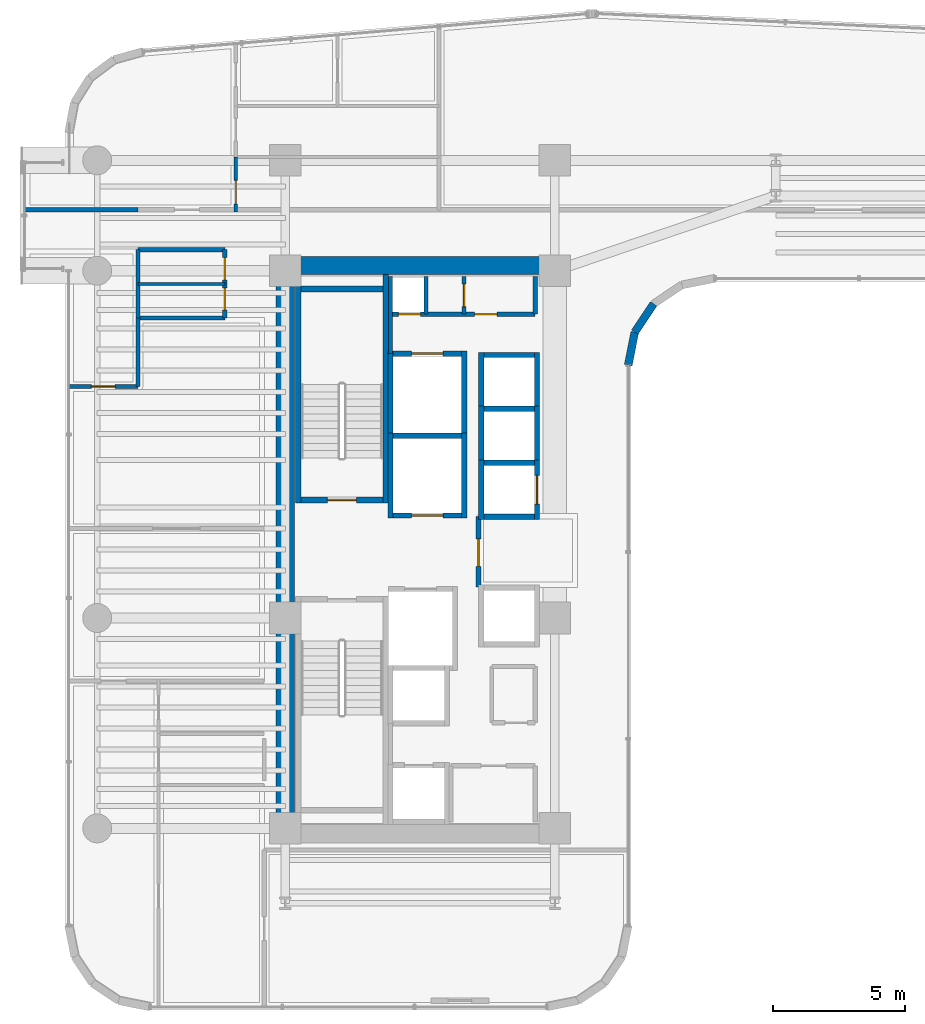
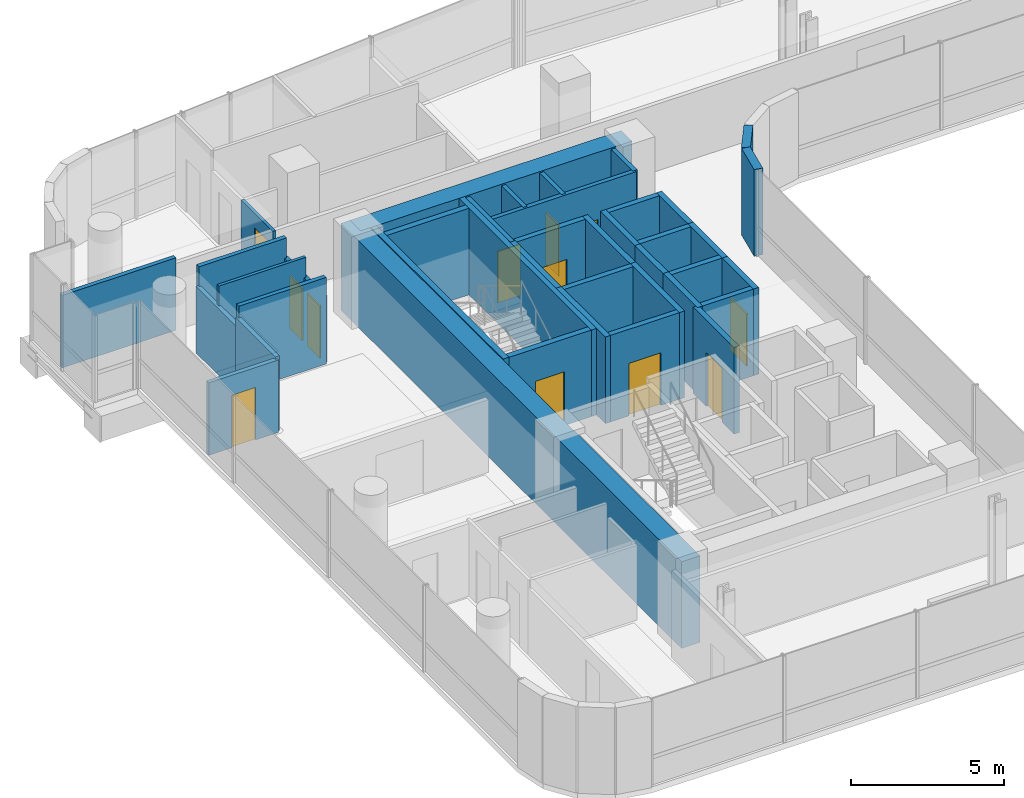
# One storey, part 28 of 35: 40 walls, 12 doors, 12 openings.
"""IFC4 building model written with IfcOpenShell, lengths in metres."""

from ifc_helpers import new_model, si_unit, direction, frame, frame_2d, origin, place, context, subcontext, project, spatial, rectangle, extrude, material, layer, layer_set, type_object, element, fill, save


model = new_model("IFC4")

# Units and contexts
model_context = context("Model", 3, precision=1e-05, world=origin(), true_north=direction((0.0, 1.0)))
body_context = subcontext(model_context, "Body", "Model", "MODEL_VIEW")
ifc_project = project(units=[si_unit("LENGTHUNIT", "METRE"), si_unit("AREAUNIT", "SQUARE_METRE"), si_unit("VOLUMEUNIT", "CUBIC_METRE"), si_unit("PLANEANGLEUNIT", "RADIAN"), si_unit("MASSUNIT", "GRAM", prefix="KILO")], contexts=[model_context])

# Site, building, storey
site_placement = place(None, origin())
site = spatial("IfcSite", under=ifc_project, at=site_placement, CompositionType="ELEMENT")
building_placement = place(site_placement, origin())
building = spatial("IfcBuilding", under=site, at=building_placement, Name="Valdorenza Pilgrim Sanctuary Tower", CompositionType="ELEMENT")
storey_placement = place(building_placement, frame((0.0, 0.0, 150.10009765625)))
storey = spatial("IfcBuildingStorey", under=building, at=storey_placement, Name="L38", CompositionType="ELEMENT", Elevation=150.10009765625)

# Wall
ifc_material_1 = material(Name="Acoustic twin-stud gypsum partition", Category="gypsum")
ifc_layer_1 = layer(ifc_material_1, 0.159912109375, Name="Acoustic twin-stud gypsum partition")
ifc_layer_set_1 = layer_set([ifc_layer_1], Name="Acoustic twin-stud gypsum partition")
wall_type_1 = type_object("IfcWallType", Name="WAL-COR-160", PredefinedType="PARTITIONING", material=ifc_layer_set_1)
wall_1_placement = place(storey_placement, frame((-18.64990234375, 7.449951171875, 0.0), z_axis=(0.0, 0.0, 1.0), x_axis=(0.0, 1.0, 0.0)))
element("IfcWall", 1, at=wall_1_placement, inside=storey, type_object=wall_type_1, Name="L38 Core A North Service West Wall", PredefinedType="PARTITIONING", context=body_context, shape_type="SweptSolid", body=[
    extrude(rectangle(XDim=2.929931640625, YDim=0.159912109375, at=frame_2d((1.46484375, 0.0))), origin(), (0.0, 0.0, 1.0), 3.4599609375),
])

# Wall, openings, doors
wall_2_placement = place(storey_placement, frame((-18.64990234375, 8.949951171875, 0.0), z_axis=(0.0, 0.0, 1.0), x_axis=(1.0, 0.0, 0.0)))
wall_2 = element("IfcWall", 2, at=wall_2_placement, inside=storey, type_object=wall_type_1, Name="L38 Core A North Service South Wall", PredefinedType="PARTITIONING", context=body_context, shape_type="SweptSolid", body=[
    extrude(rectangle(XDim=5.5, YDim=0.159912109375, at=frame_2d((2.75, 0.0))), origin(), (0.0, 0.0, 1.0), 3.4599609375),
])
opening_1_placement = place(wall_2_placement, frame((0.300048828125, 0.0, 0.0)))
opening_1 = element("IfcOpeningElement", 3, at=opening_1_placement, cuts=wall_2, Name="Opening DR-RS1", PredefinedType="OPENING", context=body_context, shape_type="SweptSolid", body=[
    extrude(rectangle(XDim=0.85009765625, YDim=2.050048828125, at=frame_2d((0.425048828125, 1.02490234375))), frame((0.0, 0.0947265625, 0.0), z_axis=(0.0, -1.0, 0.0), x_axis=(1.0, 0.0, 0.0)), (0.0, 0.0, 1.0), 0.189697265625),
])
opening_2_placement = place(wall_2_placement, frame((3.199951171875, 0.0, 0.0)))
opening_2 = element("IfcOpeningElement", 4, at=opening_2_placement, cuts=wall_2, Name="Opening DR-RS1", PredefinedType="OPENING", context=body_context, shape_type="SweptSolid", body=[
    extrude(rectangle(XDim=0.85009765625, YDim=2.050048828125, at=frame_2d((0.425048828125, 1.02490234375))), frame((0.0, 0.0947265625, 0.0), z_axis=(0.0, -1.0, 0.0), x_axis=(1.0, 0.0, 0.0)), (0.0, 0.0, 1.0), 0.189697265625),
])
ifc_material_2 = material(Name="Painted galvanized steel", Category="steel")
door_type_1 = type_object("IfcDoorType", Name="DR-RSR-850", OperationType="NOTDEFINED", PredefinedType="DOOR", material=ifc_material_2)
door_1_placement = place(opening_1_placement, origin())
door_1 = element("IfcDoor", 5, at=door_1_placement, inside=storey, type_object=door_type_1, Name="L38 Core Electrical and Telecom Riser Door", OperationType="SINGLE_SWING_LEFT", OverallHeight=2.050048828125, OverallWidth=0.85009765625, PredefinedType="DOOR", context=body_context, shape_type="SweptSolid", body=[
    extrude(rectangle(XDim=0.85009765625, YDim=2.050048828125, at=frame_2d((0.425048828125, 1.02490234375))), frame((0.0, 0.02490234375, 0.0), z_axis=(0.0, -1.0, 0.0), x_axis=(1.0, 0.0, 0.0)), (0.0, 0.0, 1.0), 0.050048828125),
])
fill(opening_1, door_1)
door_2_placement = place(opening_2_placement, origin())
door_2 = element("IfcDoor", 6, at=door_2_placement, inside=storey, type_object=door_type_1, Name="L38 Housekeeping and Clean Linen Room Door", OperationType="SINGLE_SWING_RIGHT", OverallHeight=2.050048828125, OverallWidth=0.85009765625, PredefinedType="DOOR", context=body_context, shape_type="SweptSolid", body=[
    extrude(rectangle(XDim=0.85009765625, YDim=2.050048828125, at=frame_2d((0.425048828125, 1.02490234375))), frame((0.0, 0.02490234375, 0.0), z_axis=(0.0, -1.0, 0.0), x_axis=(1.0, 0.0, 0.0)), (0.0, 0.0, 1.0), 0.050048828125),
])
fill(opening_2, door_2)

# Walls
for number, where, z_axis, x_axis, name in (
    (7, (-13.14990234375, 8.949951171875, 0.0), (0.0, 0.0, 1.0), (0.0, 1.0, 0.0), "L38 Core A North Service East Wall"),
    (8, (-17.300048828125, 8.949951171875, 0.0), (0.0, 0.0, 1.0), (0.0, 1.0, 0.0), "L38 Core Electrical Riser Wall"),
):
    element("IfcWall", number, at=place(storey_placement, frame(where, z_axis=z_axis, x_axis=x_axis)), inside=storey, type_object=wall_type_1, Name=name, PredefinedType="PARTITIONING", context=body_context, shape_type="SweptSolid", body=[
        extrude(rectangle(XDim=1.429931640625, YDim=0.159912109375, at=frame_2d((0.71484375, 0.0))), origin(), (0.0, 0.0, 1.0), 3.4599609375),
    ])

# Wall, opening, door
wall_3_placement = place(storey_placement, frame((-15.85009765625, 8.949951171875, 0.0), z_axis=(0.0, 0.0, 1.0), x_axis=(0.0, 1.0, 0.0)))
wall_3 = element("IfcWall", 9, at=wall_3_placement, inside=storey, type_object=wall_type_1, Name="L38 Core A Split C", PredefinedType="PARTITIONING", context=body_context, shape_type="SweptSolid", body=[
    extrude(rectangle(XDim=1.429931640625, YDim=0.159912109375, at=frame_2d((0.71484375, 0.0))), origin(), (0.0, 0.0, 1.0), 3.4599609375),
])
opening_3_placement = place(wall_3_placement, frame((0.2900390625, 0.0, 0.0)))
opening_3 = element("IfcOpeningElement", 10, at=opening_3_placement, cuts=wall_3, Name="Opening DR-RS1", PredefinedType="OPENING", context=body_context, shape_type="SweptSolid", body=[
    extrude(rectangle(XDim=0.85009765625, YDim=2.050048828125, at=frame_2d((0.425048828125, 1.02490234375))), frame((0.0, 0.0947265625, 0.0), z_axis=(0.0, -1.0, 0.0), x_axis=(1.0, 0.0, 0.0)), (0.0, 0.0, 1.0), 0.189697265625),
])
door_3_placement = place(opening_3_placement, origin())
door_3 = element("IfcDoor", 11, at=door_3_placement, inside=storey, type_object=door_type_1, Name="L38 Clean Linen Supply Store Door", OperationType="SINGLE_SWING_LEFT", OverallHeight=2.050048828125, OverallWidth=0.85009765625, PredefinedType="DOOR", context=body_context, shape_type="SweptSolid", body=[
    extrude(rectangle(XDim=0.85009765625, YDim=2.050048828125, at=frame_2d((0.425048828125, 1.02490234375))), frame((0.0, 0.02490234375, 0.0), z_axis=(0.0, -1.0, 0.0), x_axis=(1.0, 0.0, 0.0)), (0.0, 0.0, 1.0), 0.050048828125),
])
fill(opening_3, door_3)

# Wall
wall_4_placement = place(storey_placement, frame((-28.25, 8.800048828125, 0.0), z_axis=(0.0, 0.0, 1.0), x_axis=(0.0, 1.0, 0.0)))
element("IfcWall", 12, at=wall_4_placement, inside=storey, type_object=wall_type_1, Name="L38 Washroom West Wall", PredefinedType="PARTITIONING", context=body_context, shape_type="SweptSolid", body=[
    extrude(rectangle(XDim=2.599853515625, YDim=0.159912109375, at=frame_2d((1.2998046875, 0.0))), origin(), (0.0, 0.0, 1.0), 2.666015625),
])

# Wall, openings, doors
wall_5_placement = place(storey_placement, frame((-24.949951171875, 8.800048828125, 0.0), z_axis=(0.0, 0.0, 1.0), x_axis=(0.0, 1.0, 0.0)))
wall_5 = element("IfcWall", 13, at=wall_5_placement, inside=storey, type_object=wall_type_1, Name="L38 Washroom East Wall", PredefinedType="PARTITIONING", context=body_context, shape_type="SweptSolid", body=[
    extrude(rectangle(XDim=2.599853515625, YDim=0.159912109375, at=frame_2d((1.2998046875, 0.0))), origin(), (0.0, 0.0, 1.0), 2.666015625),
])
opening_4_placement = place(wall_5_placement, frame((0.300048828125, 0.0, 0.0)))
opening_4 = element("IfcOpeningElement", 14, at=opening_4_placement, cuts=wall_5, Name="Opening DR-WC1", PredefinedType="OPENING", context=body_context, shape_type="SweptSolid", body=[
    extrude(rectangle(XDim=0.85009765625, YDim=2.10009765625, at=frame_2d((0.425048828125, 1.050048828125))), frame((0.0, 0.0947265625, 0.0), z_axis=(0.0, -1.0, 0.0), x_axis=(1.0, 0.0, 0.0)), (0.0, 0.0, 1.0), 0.189697265625),
])
opening_5_placement = place(wall_5_placement, frame((1.449951171875, 0.0, 0.0)))
opening_5 = element("IfcOpeningElement", 15, at=opening_5_placement, cuts=wall_5, Name="Opening DR-WC1", PredefinedType="OPENING", context=body_context, shape_type="SweptSolid", body=[
    extrude(rectangle(XDim=0.85009765625, YDim=2.10009765625, at=frame_2d((0.425048828125, 1.050048828125))), frame((0.0, 0.0947265625, 0.0), z_axis=(0.0, -1.0, 0.0), x_axis=(1.0, 0.0, 0.0)), (0.0, 0.0, 1.0), 0.189697265625),
])
ifc_material_3 = material(Name="Moisture-resistant lacquered timber", Category="wood")
door_type_2 = type_object("IfcDoorType", Name="DR-BATH-850", OperationType="NOTDEFINED", PredefinedType="DOOR", material=ifc_material_3)
door_4_placement = place(opening_4_placement, origin())
door_4 = element("IfcDoor", 16, at=door_4_placement, inside=storey, type_object=door_type_2, Name="L38 Accessible Washroom Door", OperationType="SINGLE_SWING_LEFT", OverallHeight=2.10009765625, OverallWidth=0.85009765625, PredefinedType="DOOR", context=body_context, shape_type="SweptSolid", body=[
    extrude(rectangle(XDim=0.85009765625, YDim=2.10009765625, at=frame_2d((0.425048828125, 1.050048828125))), frame((0.0, 0.02490234375, 0.0), z_axis=(0.0, -1.0, 0.0), x_axis=(1.0, 0.0, 0.0)), (0.0, 0.0, 1.0), 0.050048828125),
])
fill(opening_4, door_4)
door_5_placement = place(opening_5_placement, origin())
door_5 = element("IfcDoor", 17, at=door_5_placement, inside=storey, type_object=door_type_2, Name="L38 Public Washroom Door", OperationType="SINGLE_SWING_RIGHT", OverallHeight=2.10009765625, OverallWidth=0.85009765625, PredefinedType="DOOR", context=body_context, shape_type="SweptSolid", body=[
    extrude(rectangle(XDim=0.85009765625, YDim=2.10009765625, at=frame_2d((0.425048828125, 1.050048828125))), frame((0.0, 0.02490234375, 0.0), z_axis=(0.0, -1.0, 0.0), x_axis=(1.0, 0.0, 0.0)), (0.0, 0.0, 1.0), 0.050048828125),
])
fill(opening_5, door_5)

# Walls
for number, where, z_axis, x_axis, name in (
    (18, (-28.25, 8.800048828125, 0.0), (0.0, 0.0, 1.0), (1.0, 0.0, 0.0), "L38 Washroom South Wall"),
    (19, (-28.25, 11.39990234375, 0.0), (0.0, 0.0, 1.0), (1.0, 0.0, 0.0), "L38 Washroom North Wall"),
):
    element("IfcWall", number, at=place(storey_placement, frame(where, z_axis=z_axis, x_axis=x_axis)), inside=storey, type_object=wall_type_1, Name=name, PredefinedType="PARTITIONING", context=body_context, shape_type="SweptSolid", body=[
        extrude(rectangle(XDim=3.300048828125, YDim=0.159912109375, at=frame_2d((1.64990234375, 0.0))), origin(), (0.0, 0.0, 1.0), 3.4599609375),
    ])

# Wall, opening, door
wall_6_placement = place(storey_placement, frame((-30.889892578125, 6.199951171875, 0.0), z_axis=(0.0, 0.0, 1.0), x_axis=(1.0, 0.0, 0.0)))
wall_6 = element("IfcWall", 20, at=wall_6_placement, inside=storey, type_object=wall_type_1, Name="L38 Cloister North Room Wall", PredefinedType="PARTITIONING", context=body_context, shape_type="SweptSolid", body=[
    extrude(rectangle(XDim=2.639892578125, YDim=0.159912109375, at=frame_2d((1.31982421875, 0.0))), origin(), (0.0, 0.0, 1.0), 2.89599609375),
])
opening_6_placement = place(wall_6_placement, frame((0.8701171875, 0.0, 0.0)))
opening_6 = element("IfcOpeningElement", 21, at=opening_6_placement, cuts=wall_6, Name="Opening DR-RM1", PredefinedType="OPENING", context=body_context, shape_type="SweptSolid", body=[
    extrude(rectangle(XDim=0.89990234375, YDim=2.10009765625, at=frame_2d((0.449951171875, 1.050048828125))), frame((0.0, 0.0947265625, 0.0), z_axis=(0.0, -1.0, 0.0), x_axis=(1.0, 0.0, 0.0)), (0.0, 0.0, 1.0), 0.189697265625),
])
ifc_material_4 = material(Name="Solid-core European oak timber", Category="wood")
door_type_3 = type_object("IfcDoorType", Name="DR-ROOM-900", OperationType="NOTDEFINED", PredefinedType="DOOR", material=ifc_material_4)
door_6_placement = place(opening_6_placement, frame((0.89990234375, 0.0, 0.0), z_axis=(0.0, 0.0, 1.0), x_axis=(-1.0, 0.0, 0.0)))
door_6 = element("IfcDoor", 22, at=door_6_placement, inside=storey, type_object=door_type_3, Name="L38 Pilgrim Scholar Office L38-1 Door", OperationType="SINGLE_SWING_LEFT", OverallHeight=2.10009765625, OverallWidth=0.89990234375, PredefinedType="DOOR", context=body_context, shape_type="SweptSolid", body=[
    extrude(rectangle(XDim=0.89990234375, YDim=2.10009765625, at=frame_2d((0.449951171875, 1.050048828125))), frame((0.0, 0.02490234375, 0.0), z_axis=(0.0, -1.0, 0.0), x_axis=(1.0, 0.0, 0.0)), (0.0, 0.0, 1.0), 0.050048828125),
])
fill(opening_6, door_6)

# Walls
wall_7_placement = place(storey_placement, frame((-28.25, 6.199951171875, 0.0), z_axis=(0.0, 0.0, 1.0), x_axis=(0.0, 1.0, 0.0)))
element("IfcWall", 23, at=wall_7_placement, inside=storey, type_object=wall_type_1, Name="L38 Cloister NE Closure", PredefinedType="PARTITIONING", context=body_context, shape_type="SweptSolid", body=[
    extrude(rectangle(XDim=2.60009765625, YDim=0.159912109375, at=frame_2d((1.300048828125, 0.0))), origin(), (0.0, 0.0, 1.0), 2.98779296875),
])
wall_8_placement = place(storey_placement, frame((-32.5400390625, 12.919921875, 0.0), z_axis=(0.0, 0.0, 1.0), x_axis=(1.0, 0.0, 0.0)))
element("IfcWall", 24, at=wall_8_placement, inside=storey, type_object=wall_type_1, Name="L38 Cloister North Solid Partition", PredefinedType="PARTITIONING", context=body_context, shape_type="SweptSolid", body=[
    extrude(rectangle(XDim=4.2900390625, YDim=0.159912109375, at=frame_2d((2.14501953125, 0.0))), origin(), (0.0, 0.0, 1.0), 2.89599609375),
])
ifc_material_5 = material(Name="Concrete C60/75", Category="concrete")
ifc_layer_2 = layer(ifc_material_5, 0.699951171875, Name="Concrete C60/75")
ifc_layer_set_2 = layer_set([ifc_layer_2], Name="Concrete C60/75")
wall_type_2 = type_object("IfcWallType", Name="WAL-COR-700", PredefinedType="SHEAR", material=ifc_layer_set_2)
wall_9_placement = place(storey_placement, frame((-22.64990234375, -11.14990234375, 0.0), z_axis=(0.0, 0.0, 1.0), x_axis=(0.0, 1.0, 0.0)))
element("IfcWall", 25, at=wall_9_placement, inside=storey, type_object=wall_type_2, Name="L38 Split Core A Shear Wall W", PredefinedType="SHEAR", context=body_context, shape_type="SweptSolid", body=[
    extrude(rectangle(XDim=22.2998046875, YDim=0.699951171875, at=frame_2d((11.14990234375, 0.0))), origin(), (0.0, 0.0, 1.0), 3.4599609375),
])
wall_10_placement = place(storey_placement, frame((-22.64990234375, 10.800048828125, 0.0), z_axis=(0.0, 0.0, 1.0), x_axis=(1.0, 0.0, 0.0)))
element("IfcWall", 26, at=wall_10_placement, inside=storey, type_object=wall_type_2, Name="L38 Split Core A Shear Wall N", PredefinedType="SHEAR", context=body_context, shape_type="SweptSolid", body=[
    extrude(rectangle(XDim=10.25, YDim=0.699951171875, at=frame_2d((5.125, 0.0))), origin(), (0.0, 0.0, 1.0), 3.4599609375),
])
ifc_material_6 = material(Name="Honed travertine limestone", Category="masonry")
ifc_layer_3 = layer(ifc_material_6, 0.300048828125, Name="Honed travertine limestone")
ifc_layer_set_3 = layer_set([ifc_layer_3], Name="Honed travertine limestone")
wall_type_3 = type_object("IfcWallType", Name="WAL-EXT-300", PredefinedType="SOLIDWALL", material=ifc_layer_set_3)
wall_11_placement = place(storey_placement, frame((-8.64208984375, 9.342041015625, 0.0), z_axis=(0.0, 0.0, 1.0), x_axis=(-0.555615398575, -0.831439431869, 0.0)))
element("IfcWall", 27, at=wall_11_placement, inside=storey, type_object=wall_type_3, Name="L38 Rounded Wind-Corner Stone Pier 39", PredefinedType="SOLIDWALL", context=body_context, shape_type="SweptSolid", body=[
    extrude(rectangle(XDim=1.292236328125, YDim=0.300048828125, at=frame_2d((0.64599609375, 0.0))), origin(), (0.0, 0.0, 1.0), 3.4599609375),
])
wall_12_placement = place(storey_placement, frame((-9.360107421875, 8.267578125, 0.0), z_axis=(0.0, 0.0, 1.0), x_axis=(-0.195090163074, -0.980785312019, 0.0)))
element("IfcWall", 28, at=wall_12_placement, inside=storey, type_object=wall_type_3, Name="L38 Rounded Wind-Corner Stone Pier 40", PredefinedType="SOLIDWALL", context=body_context, shape_type="SweptSolid", body=[
    extrude(rectangle(XDim=1.281494140625, YDim=0.300048828125, at=frame_2d((0.640625, 0.0))), origin(), (0.0, 0.0, 1.0), 3.4599609375),
])

# Wall, opening, door
ifc_material_7 = material(Name="Gypsum shaftwall partition", Category="gypsum")
ifc_layer_4 = layer(ifc_material_7, 0.199951171875, Name="Gypsum shaftwall partition")
ifc_layer_set_4 = layer_set([ifc_layer_4], Name="Gypsum shaftwall partition")
wall_type_4 = type_object("IfcWallType", Name="WAL-FFL-200", PredefinedType="PARTITIONING", material=ifc_layer_set_4)
wall_13_placement = place(storey_placement, frame((-15.300048828125, -1.419921875, 0.0), z_axis=(0.0, 0.0, 1.0), x_axis=(0.0, 1.0, 0.0)))
wall_13 = element("IfcWall", 29, at=wall_13_placement, inside=storey, type_object=wall_type_4, Name="L38 Core A Firefighting Lobby East Wall", PredefinedType="PARTITIONING", context=body_context, shape_type="SweptSolid", body=[
    extrude(rectangle(XDim=2.669921875, YDim=0.199951171875, at=frame_2d((1.3349609375, 0.0))), origin(), (0.0, 0.0, 1.0), 3.4599609375),
])
opening_7_placement = place(wall_13_placement, frame((0.780029296875, 0.0, 0.0)))
opening_7 = element("IfcOpeningElement", 30, at=opening_7_placement, cuts=wall_13, Name="Opening DR-FL1", PredefinedType="OPENING", context=body_context, shape_type="SweptSolid", body=[
    extrude(rectangle(XDim=1.050048828125, YDim=2.14990234375, at=frame_2d((0.52490234375, 1.074951171875))), frame((0.0, 0.11474609375, 0.0), z_axis=(0.0, -1.0, 0.0), x_axis=(1.0, 0.0, 0.0)), (0.0, 0.0, 1.0), 0.229736328125),
])
door_type_4 = type_object("IfcDoorType", Name="DR-FFL-1050", OperationType="NOTDEFINED", PredefinedType="DOOR", material=ifc_material_2)
door_7_placement = place(opening_7_placement, origin())
door_7 = element("IfcDoor", 31, at=door_7_placement, inside=storey, type_object=door_type_4, Name="L38 Core A Firefighting Lobby Door", OperationType="SINGLE_SWING_RIGHT", OverallHeight=2.14990234375, OverallWidth=1.050048828125, PredefinedType="DOOR", context=body_context, shape_type="SweptSolid", body=[
    extrude(rectangle(XDim=1.050048828125, YDim=2.14990234375, at=frame_2d((0.52490234375, 1.074951171875))), frame((0.0, 0.02490234375, 0.0), z_axis=(0.0, -1.0, 0.0), x_axis=(1.0, 0.0, 0.0)), (0.0, 0.0, 1.0), 0.050048828125),
])
fill(opening_7, door_7)

# Wall
ifc_material_8 = material(Name="Moisture-resistant gypsum partition", Category="gypsum")
ifc_layer_5 = layer(ifc_material_8, 0.1201171875, Name="Moisture-resistant gypsum partition")
ifc_layer_set_5 = layer_set([ifc_layer_5], Name="Moisture-resistant gypsum partition")
wall_type_5 = type_object("IfcWallType", Name="WAL-INT-120", PredefinedType="PARTITIONING", material=ifc_layer_set_5)
wall_14_placement = place(storey_placement, frame((-28.25, 10.10009765625, 0.0), z_axis=(0.0, 0.0, 1.0), x_axis=(1.0, 0.0, 0.0)))
element("IfcWall", 32, at=wall_14_placement, inside=storey, type_object=wall_type_5, Name="L38 Washroom Divider Wall", PredefinedType="PARTITIONING", context=body_context, shape_type="SweptSolid", body=[
    extrude(rectangle(XDim=3.300048828125, YDim=0.1201171875, at=frame_2d((1.64990234375, 0.0))), origin(), (0.0, 0.0, 1.0), 3.4599609375),
])

# Wall, opening, door
wall_15_placement = place(storey_placement, frame((-24.532958984375, 12.840087890625, 0.0), z_axis=(0.0, 0.0, 1.0), x_axis=(0.0, 1.0, 0.0)))
wall_15 = element("IfcWall", 33, at=wall_15_placement, inside=storey, type_object=wall_type_5, Name="L38 North Grand Residence L38-N1 Kitchen Door Wall", PredefinedType="PARTITIONING", context=body_context, shape_type="SweptSolid", body=[
    extrude(rectangle(XDim=2.079833984375, YDim=0.1201171875, at=frame_2d((1.0400390625, 0.0))), origin(), (0.0, 0.0, 1.0), 2.666015625),
])
opening_8_placement = place(wall_15_placement, frame((0.300048828125, 0.0, 0.0)))
opening_8 = element("IfcOpeningElement", 34, at=opening_8_placement, cuts=wall_15, Name="Opening DR-RM1", PredefinedType="OPENING", context=body_context, shape_type="SweptSolid", body=[
    extrude(rectangle(XDim=0.89990234375, YDim=2.10009765625, at=frame_2d((0.449951171875, 1.050048828125))), frame((0.0, 0.074951171875, 0.0), z_axis=(0.0, -1.0, 0.0), x_axis=(1.0, 0.0, 0.0)), (0.0, 0.0, 1.0), 0.14990234375),
])
door_8_placement = place(opening_8_placement, origin())
door_8 = element("IfcDoor", 35, at=door_8_placement, inside=storey, type_object=door_type_3, Name="L38 North Grand Residence L38-N1 Kitchen Door", OperationType="SINGLE_SWING_RIGHT", OverallHeight=2.10009765625, OverallWidth=0.89990234375, PredefinedType="DOOR", context=body_context, shape_type="SweptSolid", body=[
    extrude(rectangle(XDim=0.89990234375, YDim=2.10009765625, at=frame_2d((0.449951171875, 1.050048828125))), frame((0.0, 0.02490234375, 0.0), z_axis=(0.0, -1.0, 0.0), x_axis=(1.0, 0.0, 0.0)), (0.0, 0.0, 1.0), 0.050048828125),
])
fill(opening_8, door_8)

# Walls
ifc_material_9 = material(Name="Autoclaved aerated concrete blockwork", Category="masonry")
ifc_layer_6 = layer(ifc_material_9, 0.199951171875, Name="Autoclaved aerated concrete blockwork")
ifc_layer_set_6 = layer_set([ifc_layer_6], Name="Autoclaved aerated concrete blockwork")
wall_type_6 = type_object("IfcWallType", Name="WAL-SHF-200", PredefinedType="MOVABLE", material=ifc_layer_set_6)
for number, where, z_axis, x_axis, name in (
    (36, (-18.64990234375, 1.199951171875, 0.0), (0.0, 0.0, 1.0), (0.0, 1.0, 0.0), "L38 Lift FFL-01 Hoistway Wall West"),
    (37, (-15.85009765625, 1.199951171875, 0.0), (0.0, 0.0, 1.0), (0.0, 1.0, 0.0), "L38 Lift FFL-01 Hoistway Wall East"),
):
    element("IfcWall", number, at=place(storey_placement, frame(where, z_axis=z_axis, x_axis=x_axis)), inside=storey, type_object=wall_type_6, Name=name, PredefinedType="MOVABLE", context=body_context, shape_type="SweptSolid", body=[
        extrude(rectangle(XDim=3.22509765625, YDim=0.199951171875, at=frame_2d((1.612548828125, 0.0))), origin(), (0.0, 0.0, 1.0), 3.4599609375),
    ])

# Wall, opening, door
wall_16_placement = place(storey_placement, frame((-18.550048828125, 1.300048828125, 0.0), z_axis=(0.0, 0.0, 1.0), x_axis=(1.0, 0.0, 0.0)))
wall_16 = element("IfcWall", 38, at=wall_16_placement, inside=storey, type_object=wall_type_6, Name="L38 Lift FFL-01 Hoistway Wall South", PredefinedType="MOVABLE", context=body_context, shape_type="SweptSolid", body=[
    extrude(rectangle(XDim=2.60009765625, YDim=0.199951171875, at=frame_2d((1.300048828125, 0.0))), origin(), (0.0, 0.0, 1.0), 3.4599609375),
])
opening_9_placement = place(wall_16_placement, frame((0.699951171875, 0.0, 0.0)))
opening_9 = element("IfcOpeningElement", 39, at=opening_9_placement, cuts=wall_16, Name="Opening LD-02", PredefinedType="OPENING", context=body_context, shape_type="SweptSolid", body=[
    extrude(rectangle(XDim=1.199951171875, YDim=2.10009765625, at=frame_2d((0.60009765625, 1.050048828125))), frame((0.0, 0.11474609375, 0.0), z_axis=(0.0, -1.0, 0.0), x_axis=(1.0, 0.0, 0.0)), (0.0, 0.0, 1.0), 0.229736328125),
])
ifc_material_10 = material(Name="Brushed stainless steel Grade 316", Category="steel")
door_type_5 = type_object("IfcDoorType", Name="DR-LFT-1200", OperationType="DOUBLE_DOOR_SLIDING", PredefinedType="DOOR", material=ifc_material_10)
door_9_placement = place(opening_9_placement, origin())
door_9 = element("IfcDoor", 40, at=door_9_placement, inside=storey, type_object=door_type_5, Name="L38 Lift FFL-01 Sliding Landing Door", OperationType="DOUBLE_DOOR_SLIDING", OverallHeight=2.10009765625, OverallWidth=1.199951171875, PredefinedType="DOOR", context=body_context, shape_type="SweptSolid", body=[
    extrude(rectangle(XDim=1.199951171875, YDim=2.10009765625, at=frame_2d((0.60009765625, 1.050048828125))), frame((0.0, 0.02490234375, 0.0), z_axis=(0.0, -1.0, 0.0), x_axis=(1.0, 0.0, 0.0)), (0.0, 0.0, 1.0), 0.050048828125),
])
fill(opening_9, door_9)

# Walls
wall_17_placement = place(storey_placement, frame((-18.550048828125, 4.324951171875, 0.0), z_axis=(0.0, 0.0, 1.0), x_axis=(1.0, 0.0, 0.0)))
element("IfcWall", 41, at=wall_17_placement, inside=storey, type_object=wall_type_6, Name="L38 Lift FFL-01 Hoistway Wall North", PredefinedType="MOVABLE", context=body_context, shape_type="SweptSolid", body=[
    extrude(rectangle(XDim=2.60009765625, YDim=0.199951171875, at=frame_2d((1.300048828125, 0.0))), origin(), (0.0, 0.0, 1.0), 3.4599609375),
])
for number, where, z_axis, x_axis, name in (
    (42, (-18.64990234375, 4.22509765625, 0.0), (0.0, 0.0, 1.0), (0.0, 1.0, 0.0), "L38 Lift SVL-01 Hoistway Wall West"),
    (43, (-15.85009765625, 4.22509765625, 0.0), (0.0, 0.0, 1.0), (0.0, 1.0, 0.0), "L38 Lift SVL-01 Hoistway Wall East"),
):
    element("IfcWall", number, at=place(storey_placement, frame(where, z_axis=z_axis, x_axis=x_axis)), inside=storey, type_object=wall_type_6, Name=name, PredefinedType="MOVABLE", context=body_context, shape_type="SweptSolid", body=[
        extrude(rectangle(XDim=3.324951171875, YDim=0.199951171875, at=frame_2d((1.66259765625, 0.0))), origin(), (0.0, 0.0, 1.0), 3.4599609375),
    ])

# Wall, opening, door
wall_18_placement = place(storey_placement, frame((-18.550048828125, 7.449951171875, 0.0), z_axis=(0.0, 0.0, 1.0), x_axis=(1.0, 0.0, 0.0)))
wall_18 = element("IfcWall", 44, at=wall_18_placement, inside=storey, type_object=wall_type_6, Name="L38 Lift SVL-01 Hoistway Wall North", PredefinedType="MOVABLE", context=body_context, shape_type="SweptSolid", body=[
    extrude(rectangle(XDim=2.60009765625, YDim=0.199951171875, at=frame_2d((1.300048828125, 0.0))), origin(), (0.0, 0.0, 1.0), 3.4599609375),
])
opening_10_placement = place(wall_18_placement, frame((0.699951171875, 0.0, 0.0)))
opening_10 = element("IfcOpeningElement", 45, at=opening_10_placement, cuts=wall_18, Name="Opening LD-02", PredefinedType="OPENING", context=body_context, shape_type="SweptSolid", body=[
    extrude(rectangle(XDim=1.199951171875, YDim=2.10009765625, at=frame_2d((0.60009765625, 1.050048828125))), frame((0.0, 0.11474609375, 0.0), z_axis=(0.0, -1.0, 0.0), x_axis=(1.0, 0.0, 0.0)), (0.0, 0.0, 1.0), 0.229736328125),
])
door_10_placement = place(opening_10_placement, origin())
door_10 = element("IfcDoor", 46, at=door_10_placement, inside=storey, type_object=door_type_5, Name="L38 Lift SVL-01 Sliding Landing Door", OperationType="DOUBLE_DOOR_SLIDING", OverallHeight=2.10009765625, OverallWidth=1.199951171875, PredefinedType="DOOR", context=body_context, shape_type="SweptSolid", body=[
    extrude(rectangle(XDim=1.199951171875, YDim=2.10009765625, at=frame_2d((0.60009765625, 1.050048828125))), frame((0.0, 0.02490234375, 0.0), z_axis=(0.0, -1.0, 0.0), x_axis=(1.0, 0.0, 0.0)), (0.0, 0.0, 1.0), 0.050048828125),
])
fill(opening_10, door_10)

# Wall
wall_19_placement = place(storey_placement, frame((-15.199951171875, 1.14990234375, 0.0), z_axis=(0.0, 0.0, 1.0), x_axis=(0.0, 1.0, 0.0)))
element("IfcWall", 47, at=wall_19_placement, inside=storey, type_object=wall_type_6, Name="L38 Lift PL-06 Hoistway Wall West", PredefinedType="MOVABLE", context=body_context, shape_type="SweptSolid", body=[
    extrude(rectangle(XDim=2.25, YDim=0.199951171875, at=frame_2d((1.125, 0.0))), origin(), (0.0, 0.0, 1.0), 3.4599609375),
])

# Wall, opening, door
wall_20_placement = place(storey_placement, frame((-13.080078125, 1.14990234375, 0.0), z_axis=(0.0, 0.0, 1.0), x_axis=(0.0, 1.0, 0.0)))
wall_20 = element("IfcWall", 48, at=wall_20_placement, inside=storey, type_object=wall_type_6, Name="L38 Lift PL-06 Hoistway Wall East", PredefinedType="MOVABLE", context=body_context, shape_type="SweptSolid", body=[
    extrude(rectangle(XDim=2.25, YDim=0.199951171875, at=frame_2d((1.125, 0.0))), origin(), (0.0, 0.0, 1.0), 3.4599609375),
])
opening_11_placement = place(wall_20_placement, frame((0.574951171875, 0.0, 0.0)))
opening_11 = element("IfcOpeningElement", 49, at=opening_11_placement, cuts=wall_20, Name="Opening LD-01", PredefinedType="OPENING", context=body_context, shape_type="SweptSolid", body=[
    extrude(rectangle(XDim=1.10009765625, YDim=2.10009765625, at=frame_2d((0.550048828125, 1.050048828125))), frame((0.0, 0.11474609375, 0.0), z_axis=(0.0, -1.0, 0.0), x_axis=(1.0, 0.0, 0.0)), (0.0, 0.0, 1.0), 0.229736328125),
])
door_type_6 = type_object("IfcDoorType", Name="DR-LFT-1100", OperationType="DOUBLE_DOOR_SLIDING", PredefinedType="DOOR", material=ifc_material_10)
door_11_placement = place(opening_11_placement, origin())
door_11 = element("IfcDoor", 50, at=door_11_placement, inside=storey, type_object=door_type_6, Name="L38 Lift PL-06 Sliding Landing Door", OperationType="DOUBLE_DOOR_SLIDING", OverallHeight=2.10009765625, OverallWidth=1.10009765625, PredefinedType="DOOR", context=body_context, shape_type="SweptSolid", body=[
    extrude(rectangle(XDim=1.10009765625, YDim=2.10009765625, at=frame_2d((0.550048828125, 1.050048828125))), frame((0.0, 0.02490234375, 0.0), z_axis=(0.0, -1.0, 0.0), x_axis=(1.0, 0.0, 0.0)), (0.0, 0.0, 1.0), 0.050048828125),
])
fill(opening_11, door_11)

# Walls
wall_21_placement = place(storey_placement, frame((-15.10009765625, 1.25, 0.0), z_axis=(0.0, 0.0, 1.0), x_axis=(1.0, 0.0, 0.0)))
element("IfcWall", 51, at=wall_21_placement, inside=storey, type_object=wall_type_6, Name="L38 Lift PL-06 Hoistway Wall South", PredefinedType="MOVABLE", context=body_context, shape_type="SweptSolid", body=[
    extrude(rectangle(XDim=1.920166015625, YDim=0.199951171875, at=frame_2d((0.9599609375, 0.0))), origin(), (0.0, 0.0, 1.0), 3.4599609375),
])
for number, where, z_axis, x_axis, name in (
    (52, (-15.199951171875, 3.199951171875, 0.0), (0.0, 0.0, 1.0), (0.0, 1.0, 0.0), "L38 Lift PL-09 Hoistway Wall West"),
    (53, (-13.080078125, 3.199951171875, 0.0), (0.0, 0.0, 1.0), (0.0, 1.0, 0.0), "L38 Lift PL-09 Hoistway Wall East"),
):
    element("IfcWall", number, at=place(storey_placement, frame(where, z_axis=z_axis, x_axis=x_axis)), inside=storey, type_object=wall_type_6, Name=name, PredefinedType="MOVABLE", context=body_context, shape_type="SweptSolid", body=[
        extrude(rectangle(XDim=2.25, YDim=0.199951171875, at=frame_2d((1.125, 0.0))), origin(), (0.0, 0.0, 1.0), 3.4599609375),
    ])
for number, where, z_axis, x_axis, name in (
    (54, (-15.10009765625, 3.300048828125, 0.0), (0.0, 0.0, 1.0), (1.0, 0.0, 0.0), "L38 Lift PL-09 Hoistway Wall South"),
    (55, (-15.10009765625, 5.35009765625, 0.0), (0.0, 0.0, 1.0), (1.0, 0.0, 0.0), "L38 Lift PL-09 Hoistway Wall North"),
):
    element("IfcWall", number, at=place(storey_placement, frame(where, z_axis=z_axis, x_axis=x_axis)), inside=storey, type_object=wall_type_6, Name=name, PredefinedType="MOVABLE", context=body_context, shape_type="SweptSolid", body=[
        extrude(rectangle(XDim=1.920166015625, YDim=0.199951171875, at=frame_2d((0.9599609375, 0.0))), origin(), (0.0, 0.0, 1.0), 3.4599609375),
    ])
for number, where, z_axis, x_axis, name in (
    (56, (-15.199951171875, 5.25, 0.0), (0.0, 0.0, 1.0), (0.0, 1.0, 0.0), "L38 Lift PL-10 Hoistway Wall West"),
    (57, (-13.080078125, 5.25, 0.0), (0.0, 0.0, 1.0), (0.0, 1.0, 0.0), "L38 Lift PL-10 Hoistway Wall East"),
):
    element("IfcWall", number, at=place(storey_placement, frame(where, z_axis=z_axis, x_axis=x_axis)), inside=storey, type_object=wall_type_6, Name=name, PredefinedType="MOVABLE", context=body_context, shape_type="SweptSolid", body=[
        extrude(rectangle(XDim=2.25, YDim=0.199951171875, at=frame_2d((1.125, 0.0))), origin(), (0.0, 0.0, 1.0), 3.4599609375),
    ])
wall_22_placement = place(storey_placement, frame((-15.10009765625, 7.39990234375, 0.0), z_axis=(0.0, 0.0, 1.0), x_axis=(1.0, 0.0, 0.0)))
element("IfcWall", 58, at=wall_22_placement, inside=storey, type_object=wall_type_6, Name="L38 Lift PL-10 Hoistway Wall North", PredefinedType="MOVABLE", context=body_context, shape_type="SweptSolid", body=[
    extrude(rectangle(XDim=1.920166015625, YDim=0.199951171875, at=frame_2d((0.9599609375, 0.0))), origin(), (0.0, 0.0, 1.0), 3.4599609375),
])
ifc_material_11 = material(Name="Concrete C40/50", Category="concrete")
ifc_layer_7 = layer(ifc_material_11, 0.219970703125, Name="Concrete C40/50")
ifc_layer_set_7 = layer_set([ifc_layer_7], Name="Concrete C40/50")
wall_type_7 = type_object("IfcWallType", Name="WAL-STR-SHF-220", PredefinedType="SHEAR", material=ifc_layer_set_7)
for number, where, z_axis, x_axis, name in (
    (59, (-22.159912109375, 1.780029296875, 0.0), (0.0, 0.0, 1.0), (0.0, 1.0, 0.0), "L38 ST-A1 Structural Stairwell Wall W"),
    (60, (-18.830078125, 1.780029296875, 0.0), (0.0, 0.0, 1.0), (0.0, 1.0, 0.0), "L38 ST-A1 Structural Stairwell Wall E"),
):
    element("IfcWall", number, at=place(storey_placement, frame(where, z_axis=z_axis, x_axis=x_axis)), inside=storey, type_object=wall_type_7, Name=name, PredefinedType="SHEAR", context=body_context, shape_type="SweptSolid", body=[
        extrude(rectangle(XDim=8.669921875, YDim=0.219970703125, at=frame_2d((4.3349609375, 0.0))), origin(), (0.0, 0.0, 1.0), 3.4599609375),
    ])

# Wall, opening, door
wall_23_placement = place(storey_placement, frame((-22.050048828125, 1.889892578125, 0.0), z_axis=(0.0, 0.0, 1.0), x_axis=(1.0, 0.0, 0.0)))
wall_23 = element("IfcWall", 61, at=wall_23_placement, inside=storey, type_object=wall_type_7, Name="L38 ST-A1 Structural Stairwell Wall S", PredefinedType="SHEAR", context=body_context, shape_type="SweptSolid", body=[
    extrude(rectangle(XDim=3.110107421875, YDim=0.219970703125, at=frame_2d((1.55517578125, 0.0))), origin(), (0.0, 0.0, 1.0), 3.4599609375),
])
opening_12_placement = place(wall_23_placement, frame((1.0, 0.0, 0.0)))
opening_12 = element("IfcOpeningElement", 62, at=opening_12_placement, cuts=wall_23, Name="Opening DR-ST1", PredefinedType="OPENING", context=body_context, shape_type="SweptSolid", body=[
    extrude(rectangle(XDim=1.10009765625, YDim=2.14990234375, at=frame_2d((0.550048828125, 1.074951171875))), frame((0.0, 0.125, 0.0), z_axis=(0.0, -1.0, 0.0), x_axis=(1.0, 0.0, 0.0)), (0.0, 0.0, 1.0), 0.249755859375),
])
door_type_7 = type_object("IfcDoorType", Name="DR-STAIR-1100", OperationType="NOTDEFINED", PredefinedType="DOOR", material=ifc_material_2)
door_12_placement = place(opening_12_placement, frame((1.10009765625, 0.0, 0.0), z_axis=(0.0, 0.0, 1.0), x_axis=(-1.0, 0.0, 0.0)))
door_12 = element("IfcDoor", 63, at=door_12_placement, inside=storey, type_object=door_type_7, Name="L38 Exit Stair ST-A1 Door", OperationType="SINGLE_SWING_LEFT", OverallHeight=2.14990234375, OverallWidth=1.10009765625, PredefinedType="DOOR", context=body_context, shape_type="SweptSolid", body=[
    extrude(rectangle(XDim=1.10009765625, YDim=2.14990234375, at=frame_2d((0.550048828125, 1.074951171875))), frame((0.0, 0.02490234375, 0.0), z_axis=(0.0, -1.0, 0.0), x_axis=(1.0, 0.0, 0.0)), (0.0, 0.0, 1.0), 0.050048828125),
])
fill(opening_12, door_12)

# Wall
wall_24_placement = place(storey_placement, frame((-22.050048828125, 9.909912109375, 0.0), z_axis=(0.0, 0.0, 1.0), x_axis=(1.0, 0.0, 0.0)))
element("IfcWall", 64, at=wall_24_placement, inside=storey, type_object=wall_type_7, Name="L38 ST-A1 Structural Stairwell Wall N", PredefinedType="SHEAR", context=body_context, shape_type="SweptSolid", body=[
    extrude(rectangle(XDim=3.110107421875, YDim=0.219970703125, at=frame_2d((1.55517578125, 0.0))), origin(), (0.0, 0.0, 1.0), 3.4599609375),
])

save(model, "model.ifc")
